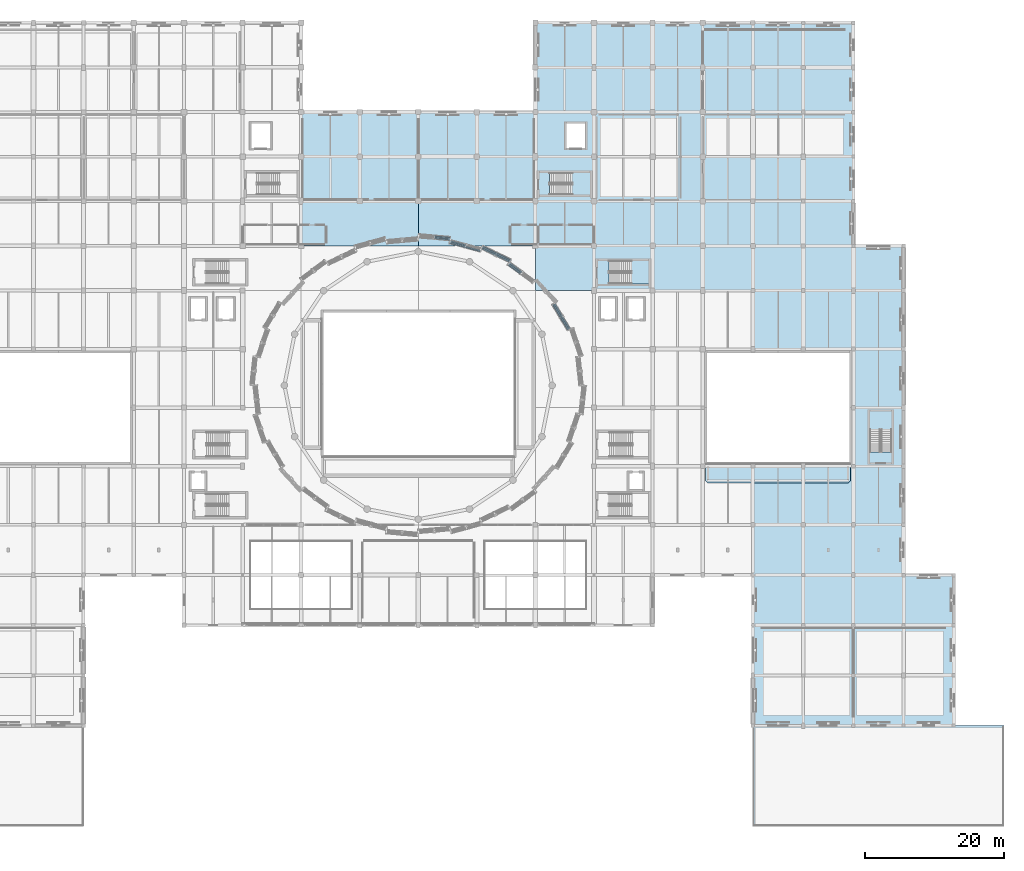
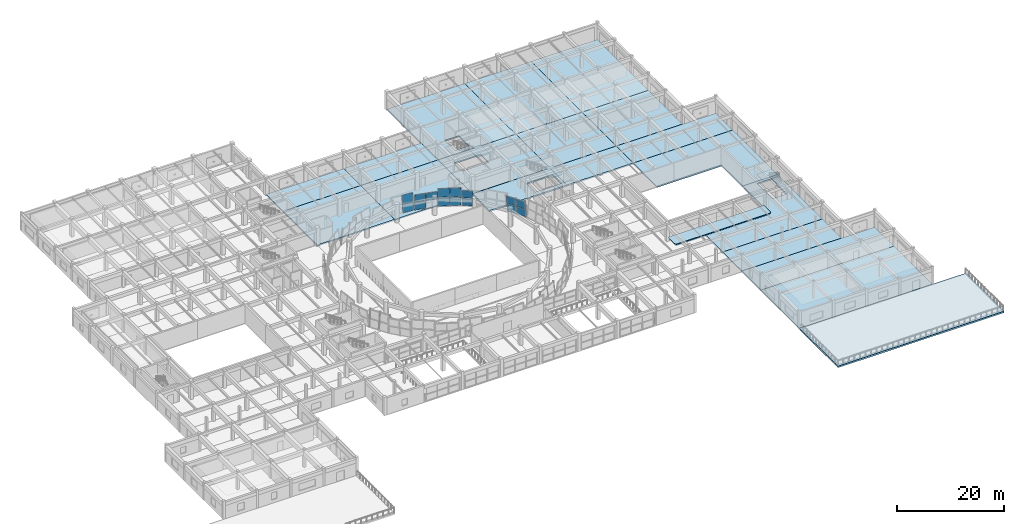
# One storey, part 45 of 71: 23 slabs, 15 plates, 8 elements without a shape of their own.
"""IFC4 building model written with IfcOpenShell, lengths in metres."""

import ifcopenshell
import ifcopenshell.guid

model = None  # the IFC model being written
_history = None  # IfcOwnerHistory: only IFC2X3 demands one
_inside = {}  # id of a spatial element -> (the spatial element, [elements in it])
_under = {}  # id of a project, library or spatial element -> (it, [spatial elements below it])
_declared = {}  # id of a project -> (the project, [libraries it declares])
_typed = {}  # id of a type object -> (the type object, [elements of that type])
_made_of = {}  # id of a material, layer set ... -> (it, [elements and type objects made of it])


def new_model(schema):
    """Start an empty IFC model of exactly this schema.

    Asked for "IFC4X3", IfcOpenShell would pick the latest addendum, in which some entities
    have other attributes; the version numbers below select the first issue.
    IFC2X3 requires an IfcOwnerHistory on every rooted entity: one is made here for all.
    """
    global model, _history
    if schema == "IFC4X3":
        model = ifcopenshell.file(schema_version=(4, 3, 0, 0))
    else:
        model = ifcopenshell.file(schema=schema)
    _inside.clear()
    _under.clear()
    _declared.clear()
    _typed.clear()
    _made_of.clear()
    _history = None
    if model.schema == "IFC2X3":
        org = make("IfcOrganization", Name="unknown")
        user = make(
            "IfcPersonAndOrganization",
            ThePerson=make("IfcPerson", FamilyName="unknown"),
            TheOrganization=org,
        )
        app = make(
            "IfcApplication",
            ApplicationDeveloper=org,
            Version="unknown",
            ApplicationFullName="unknown",
            ApplicationIdentifier="unknown",
        )
        _history = make(
            "IfcOwnerHistory",
            OwningUser=user,
            OwningApplication=app,
            ChangeAction="ADDED",
            CreationDate=0,
        )
    return model


def make(cls, **values):
    """One entity of the class cls with the attributes given. An attribute that is None is left unset."""
    return model.create_entity(
        cls, **{name: value for name, value in values.items() if value is not None}
    )


def rooted(cls, **values):
    """An entity with a GlobalId (a new one), such as an element, a storey or a relation."""
    return make(cls, GlobalId=ifcopenshell.guid.new(), OwnerHistory=_history, **values)


def si_unit(unit_type, name, prefix=None):
    """IfcSIUnit, for example si_unit("LENGTHUNIT", "METRE", prefix="MILLI")."""
    return make("IfcSIUnit", UnitType=unit_type, Prefix=prefix, Name=name)


def assignment(units):
    """IfcUnitAssignment: the units of a project."""
    return None if units is None else make("IfcUnitAssignment", Units=units)


def point(xyz):
    """IfcCartesianPoint."""
    return None if xyz is None else make("IfcCartesianPoint", Coordinates=xyz)


def direction(xyz):
    """IfcDirection."""
    return None if xyz is None else make("IfcDirection", DirectionRatios=xyz)


def frame(location, z_axis=None, x_axis=None):
    """IfcAxis2Placement3D, a coordinate frame: its origin and axes. An axis left out is left unset."""
    return make(
        "IfcAxis2Placement3D",
        Location=point(location),
        Axis=direction(z_axis),
        RefDirection=direction(x_axis),
    )


def origin():
    """The frame at (0, 0, 0) with its axes left unset."""
    return frame((0.0, 0.0, 0.0))


def place(relative_to, where):
    """IfcLocalPlacement: puts the frame where relative to a parent placement (None: the world)."""
    return make(
        "IfcLocalPlacement", PlacementRelTo=relative_to, RelativePlacement=where
    )


def context(
    kind, dimensions, precision=None, world=None, true_north=None, identifier=None
):
    """IfcGeometricRepresentationContext, for example the 3D "Model" context."""
    return make(
        "IfcGeometricRepresentationContext",
        ContextIdentifier=identifier,
        ContextType=kind,
        CoordinateSpaceDimension=dimensions,
        Precision=precision,
        WorldCoordinateSystem=world,
        TrueNorth=true_north,
    )


def subcontext(parent, identifier, kind, view, scale=None):
    """IfcGeometricRepresentationSubContext, for example "Body" below "Model"."""
    return make(
        "IfcGeometricRepresentationSubContext",
        ContextIdentifier=identifier,
        ContextType=kind,
        ParentContext=parent,
        TargetScale=scale,
        TargetView=view,
    )


def project(units=None, contexts=None):
    """IfcProject with its units and contexts."""
    return rooted(
        "IfcProject",
        Name="project",
        RepresentationContexts=contexts,
        UnitsInContext=assignment(units),
    )


def spatial(cls, under=None, at=None, **own):
    """A site, building, storey or space (cls), placed at a placement, below another one or the project."""
    s = rooted(cls, ObjectPlacement=at, **own)
    if under is not None:
        _under.setdefault(under.id(), (under, []))[1].append(s)
    return s


def polyline(points):
    """IfcPolyline through the points."""
    return make("IfcPolyline", Points=[point(p) for p in points])


def outline(outer, holes=None, kind="AREA"):
    """IfcArbitraryClosedProfileDef: a profile drawn as a closed curve; with holes, ...WithVoids."""
    if holes is None:
        return make("IfcArbitraryClosedProfileDef", ProfileType=kind, OuterCurve=outer)
    return make(
        "IfcArbitraryProfileDefWithVoids",
        ProfileType=kind,
        OuterCurve=outer,
        InnerCurves=holes,
    )


def extrude(swept, where, along, depth):
    """IfcExtrudedAreaSolid: the profile swept, set in the frame where, extruded along a direction by depth."""
    return make(
        "IfcExtrudedAreaSolid",
        SweptArea=swept,
        Position=where,
        ExtrudedDirection=direction(along),
        Depth=depth,
    )


def shape(context_of_items, identifier, shape_type, items):
    """IfcShapeRepresentation: the items that make up one representation, for example the "Body"."""
    return make(
        "IfcShapeRepresentation",
        ContextOfItems=context_of_items,
        RepresentationIdentifier=identifier,
        RepresentationType=shape_type,
        Items=items,
    )


def material(Name=None, Category=None):
    """IfcMaterial."""
    return make("IfcMaterial", Name=Name, Category=Category)


def layer(
    of_material, thickness, ventilated=None, Name=None, Category=None, Priority=None
):
    """IfcMaterialLayer: one layer of a wall or slab, of a material (None: an air gap)."""
    return make(
        "IfcMaterialLayer",
        Material=of_material,
        LayerThickness=thickness,
        IsVentilated=ventilated,
        Name=Name,
        Category=Category,
        Priority=Priority,
    )


def layer_set(layers, Name=None):
    """IfcMaterialLayerSet."""
    return make("IfcMaterialLayerSet", MaterialLayers=layers, LayerSetName=Name)


def made_of(thing, what):
    """Note that an element or type object is made of a material, layer set ...; save() writes the relation."""
    if what is not None:
        _made_of.setdefault(what.id(), (what, []))[1].append(thing)
    return thing


def type_object(cls, material=None, **own):
    """A type object (cls), such as IfcWallType, which elements share."""
    return made_of(rooted(cls, **own), material)


def element(
    cls,
    number,
    at=None,
    inside=None,
    cuts=None,
    type_object=None,
    material=None,
    context=None,
    identifier="Body",
    shape_type=None,
    held_by="IfcProductDefinitionShape",
    body=None,
    shapes=None,
    **own,
):
    """One element of the class cls, such as IfcWall. Its Tag is "e" and its number.

    at: its placement. inside: the storey or other place that contains it. cuts: it is an
    opening in that element (IfcRelVoidsElement). A single representation is given by context,
    identifier, shape_type and body (its items); several are given by shapes. held_by: the class
    of the entity that holds the representations. save() writes the other relations.
    """
    e = rooted(cls, Tag="e%d" % number, ObjectPlacement=at, **own)
    if body is not None:
        shapes = [shape(context, identifier, shape_type, body)]
    if shapes is not None:
        e.Representation = make(held_by, Representations=shapes)
    if inside is not None:
        _inside.setdefault(inside.id(), (inside, []))[1].append(e)
    if cuts is not None:
        rooted(
            "IfcRelVoidsElement", RelatingBuildingElement=cuts, RelatedOpeningElement=e
        )
    if type_object is not None:
        _typed.setdefault(type_object.id(), (type_object, []))[1].append(e)
    return made_of(e, material)


def aggregate(whole, parts):
    """IfcRelAggregates: a whole, such as a stair, and the parts it consists of."""
    return rooted("IfcRelAggregates", RelatingObject=whole, RelatedObjects=parts)


def save(model, path):
    """Write the relations noted so far, then the file.

    IfcRelAggregates (storeys below a building ...), IfcRelContainedInSpatialStructure (elements
    in a storey), IfcRelDefinesByType, IfcRelAssociatesMaterial and IfcRelDeclares: one each for
    every whole, place, type object, material and project.
    """
    for whole, parts in _under.values():
        aggregate(whole, parts)
    for where, things in _inside.values():
        rooted(
            "IfcRelContainedInSpatialStructure",
            RelatedElements=things,
            RelatingStructure=where,
        )
    for kind, things in _typed.values():
        rooted("IfcRelDefinesByType", RelatedObjects=things, RelatingType=kind)
    for what, things in _made_of.values():
        rooted("IfcRelAssociatesMaterial", RelatedObjects=things, RelatingMaterial=what)
    for by, libraries in _declared.values():
        rooted("IfcRelDeclares", RelatingContext=by, RelatedDefinitions=libraries)
    model.write(path)


model = new_model("IFC4")

# Units and contexts
model_context = context("Model", 3, precision=1e-05, world=origin(), true_north=direction((0.0, 1.0)))
body_context = subcontext(model_context, "Body", "Model", "MODEL_VIEW")
ifc_project = project(units=[si_unit("LENGTHUNIT", "METRE"), si_unit("AREAUNIT", "SQUARE_METRE"), si_unit("VOLUMEUNIT", "CUBIC_METRE"), si_unit("PLANEANGLEUNIT", "RADIAN"), si_unit("MASSUNIT", "GRAM", prefix="KILO")], contexts=[model_context])

# Site, building, storey
site_placement = place(None, origin())
site = spatial("IfcSite", under=ifc_project, at=site_placement, CompositionType="ELEMENT")
building_placement = place(site_placement, origin())
building = spatial("IfcBuilding", under=site, at=building_placement, Name="Korsvaeld Concert Hall", CompositionType="ELEMENT")
storey_placement = place(building_placement, frame((0.0, 0.0, 4.800048828125)))
storey = spatial("IfcBuildingStorey", under=building, at=storey_placement, Name="L01", CompositionType="ELEMENT", Elevation=4.800048828125)

# Curtain wall, plates
ifc_material_1 = material(Name="Anodised bronze and ceramic-fritted safety glass", Category="glass")
curtain_wall_type_1 = type_object("IfcCurtainWallType", Name="CW-TYPE-03", PredefinedType="USERDEFINED", material=ifc_material_1)
curtain_wall_1_placement = place(storey_placement, origin())
curtain_wall_1 = element("IfcCurtainWall", 1, at=curtain_wall_1_placement, inside=storey, type_object=curtain_wall_type_1, Name="Crystal curtain-wall facet L01 F03", ObjectType="CURTAIN WALL", PredefinedType="USERDEFINED")
ifc_material_2 = material(Name="Translucent ceramic-fritted crystal safety glass", Category="glass")
ifc_layer_1 = layer(ifc_material_2, 0.035888671875)
ifc_layer_set_1 = layer_set([ifc_layer_1], Name="Translucent ceramic-fritted crystal safety glass")
plate_type = type_object("IfcPlateType", Name="CWP-CRYSTAL-36", PredefinedType="CURTAIN_PANEL", material=ifc_layer_set_1)
plate_1_placement = place(storey_placement, frame((105.759033203125, 71.37451171875, 0.06005859375), z_axis=(0.853873261787, 0.508120642844, 0.112755776441), x_axis=(-0.511381861684, 0.859353589357, 0.0)))
plate_1 = element("IfcPlate", 2, at=plate_1_placement, type_object=plate_type, Name="CW-CRYS-L01-F03 ceramic-fritted crystal panel 1.1", PredefinedType="CURTAIN_PANEL", context=body_context, shape_type="SweptSolid", body=[
    extrude(outline(polyline([(0.0, 0.0), (2.0199366887482033, 1.3877787807814457e-17), (2.0386029109089057, 1.8617262415621827), (0.018666222160702132, 1.8617262415621827), (0.0, 0.0)])), frame((0.0, 0.0, 0.01806640625)), (0.0, 0.0, -1.0), 0.035888671875),
])
plate_2_placement = place(storey_placement, frame((105.56298828125, 71.2802734375, 1.969970703125), z_axis=(0.853895606904, 0.508073891, 0.112797224229), x_axis=(-0.511337798574, 0.859379808767, 5.820704e-06)))
plate_2 = element("IfcPlate", 3, at=plate_2_placement, type_object=plate_type, Name="CW-CRYS-L01-F03 ceramic-fritted crystal panel 1.2", PredefinedType="CURTAIN_PANEL", context=body_context, shape_type="SweptSolid", body=[
    extrude(outline(polyline([(0.0, 0.0), (2.019936686058763, 0.0), (2.038602913623199, 1.8619688224688642), (0.018791065894165827, 1.8619924876787373), (0.0, 0.0)])), frame((0.0, 0.0, 0.01806640625)), (0.0, 0.0, -1.0), 0.035888671875),
])
plate_3_placement = place(storey_placement, frame((104.687744140625, 73.1748046875, 0.06005859375), z_axis=(0.853873261787, 0.508120642844, 0.112755776441), x_axis=(-0.511381861684, 0.859353589357, 0.0)))
plate_3 = element("IfcPlate", 4, at=plate_3_placement, type_object=plate_type, Name="CW-CRYS-L01-F03 ceramic-fritted crystal panel 2.1", PredefinedType="CURTAIN_PANEL", context=body_context, shape_type="SweptSolid", body=[
    extrude(outline(polyline([(0.0, 0.0), (2.0199366887482033, 1.3877787807814457e-17), (2.0386029109089057, 1.8617262415621827), (0.018666222160702132, 1.8617262415621827), (0.0, 0.0)])), frame((0.0, 0.0, 0.01806640625)), (0.0, 0.0, -1.0), 0.035888671875),
])
plate_4_placement = place(storey_placement, frame((104.49169921875, 73.08056640625, 1.969970703125), z_axis=(0.853914504774, 0.508049407558, 0.112764435958), x_axis=(-0.511311580092, 0.859395408399, 9.281327e-06)))
plate_4 = element("IfcPlate", 5, at=plate_4_placement, type_object=plate_type, Name="CW-CRYS-L01-F03 ceramic-fritted crystal panel 2.2", PredefinedType="CURTAIN_PANEL", context=body_context, shape_type="SweptSolid", body=[
    extrude(outline(polyline([(0.0, 0.0), (2.019936681906196, -1.3877787807814457e-17), (2.0388127209372526, 1.8619547463895518), (0.018791057627661603, 1.8619924832573516), (0.0, 0.0)])), frame((0.0, 0.0, 0.01806640625)), (0.0, 0.0, -1.0), 0.035888671875),
])
aggregate(curtain_wall_1, [plate_1, plate_2, plate_3, plate_4])

curtain_wall_type_2 = type_object("IfcCurtainWallType", Name="CW-TYPE-05", PredefinedType="USERDEFINED", material=ifc_material_1)
curtain_wall_2_placement = place(storey_placement, origin())
curtain_wall_2 = element("IfcCurtainWall", 6, at=curtain_wall_2_placement, inside=storey, type_object=curtain_wall_type_2, Name="Crystal curtain-wall facet L01 F05", ObjectType="CURTAIN WALL", PredefinedType="USERDEFINED")
plate_5_placement = place(storey_placement, frame((98.86474609375, 79.526123046875, 0.06005859375), z_axis=(0.589635288968, 0.799792072609, 0.112529403251), x_axis=(-0.804904507896, 0.593404358906, 0.0)))
plate_5 = element("IfcPlate", 7, at=plate_5_placement, type_object=plate_type, Name="CW-CRYS-L01-F05 ceramic-fritted crystal panel 2.1", PredefinedType="CURTAIN_PANEL", context=body_context, shape_type="SweptSolid", body=[
    extrude(outline(polyline([(0.0, 0.0), (2.1089579558479716, 0.0), (2.13104190286267, 1.8616781594457161), (0.022083947014698666, 1.8616781594457161), (0.0, 0.0)])), frame((0.0, 0.0, 0.01806640625)), (0.0, 0.0, -1.0), 0.035888671875),
])
plate_6_placement = place(storey_placement, frame((98.718017578125, 79.365478515625, 1.969970703125), z_axis=(0.589636274188, 0.79979340898, 0.112514741765), x_axis=(-0.804904507896, 0.593404358906, 0.0)))
plate_6 = element("IfcPlate", 8, at=plate_6_placement, type_object=plate_type, Name="CW-CRYS-L01-F05 ceramic-fritted crystal panel 2.2", PredefinedType="CURTAIN_PANEL", context=body_context, shape_type="SweptSolid", body=[
    extrude(outline(polyline([(0.0, 0.0), (2.1089579558479716, 1.3877787807814457e-17), (2.13104190286267, 1.86192074958865), (0.022083947014698666, 1.86192074958865), (0.0, 0.0)])), frame((0.0, 0.0, 0.01806640625)), (0.0, 0.0, -1.0), 0.035888671875),
])
aggregate(curtain_wall_2, [plate_5, plate_6])

curtain_wall_type_3 = type_object("IfcCurtainWallType", Name="CW-TYPE-06", PredefinedType="USERDEFINED", material=ifc_material_1)
curtain_wall_3_placement = place(storey_placement, origin())
curtain_wall_3 = element("IfcCurtainWall", 9, at=curtain_wall_3_placement, inside=storey, type_object=curtain_wall_type_3, Name="Crystal curtain-wall facet L01 F06", ObjectType="CURTAIN WALL", PredefinedType="USERDEFINED")
plate_7_placement = place(storey_placement, frame((97.04736328125, 80.865478515625, 0.06005859375), z_axis=(0.430090054787, 0.895710759262, -0.112804168878), x_axis=(-0.901464591462, 0.432852850679, 0.0)))
plate_7 = element("IfcPlate", 10, at=plate_7_placement, type_object=plate_type, Name="CW-CRYS-L01-F06 ceramic-fritted crystal panel 1.1", PredefinedType="CURTAIN_PANEL", context=body_context, shape_type="SweptSolid", body=[
    extrude(outline(polyline([(0.0, 0.0), (2.150634336043882, 0.0), (2.1317694595248153, 1.8617365332323772), (-0.018864876519067143, 1.8617365332323772), (0.0, 0.0)])), frame((0.0, 0.0, 0.01806640625)), (0.0, 0.0, -1.0), 0.035888671875),
])
plate_8_placement = place(storey_placement, frame((97.15869140625, 81.052490234375, 1.969970703125), z_axis=(0.430114148991, 0.895704537127, -0.112761700096), x_axis=(-0.901454091207, 0.432874717948, -2.75289e-06)))
plate_8 = element("IfcPlate", 11, at=plate_8_placement, type_object=plate_type, Name="CW-CRYS-L01-F06 ceramic-fritted crystal panel 1.2", PredefinedType="CURTAIN_PANEL", context=body_context, shape_type="SweptSolid", body=[
    extrude(outline(polyline([(0.0, 0.0), (2.150634335402981, 1.3877787807814457e-17), (2.1317694601600947, 1.8619791150426859), (-0.018644793677650772, 1.8619671987283917), (0.0, 0.0)])), frame((0.0, 0.0, 0.01806640625)), (0.0, 0.0, -1.0), 0.035888671875),
])
plate_9_placement = place(storey_placement, frame((95.041015625, 81.828857421875, 0.06005859375), z_axis=(0.429998436231, 0.895754874635, -0.112803144489), x_axis=(-0.901508884705, 0.432760592935, 0.0)))
plate_9 = element("IfcPlate", 12, at=plate_9_placement, type_object=plate_type, Name="CW-CRYS-L01-F06 ceramic-fritted crystal panel 2.1", PredefinedType="CURTAIN_PANEL", context=body_context, shape_type="SweptSolid", body=[
    extrude(outline(polyline([(0.0, 0.0), (2.1505286703400395, 0.0), (2.131642301423537, 1.8617363153269957), (-0.01888636891650229, 1.8617363153269957), (0.0, 0.0)])), frame((0.0, 0.0, 0.01806640625)), (0.0, 0.0, -1.0), 0.035888671875),
])
plate_10_placement = place(storey_placement, frame((95.15234375, 82.015869140625, 1.969970703125), z_axis=(0.429999158214, 0.895756378641, -0.112788448256), x_axis=(-0.901508884705, 0.432760592935, 0.0)))
plate_10 = element("IfcPlate", 13, at=plate_10_placement, type_object=plate_type, Name="CW-CRYS-L01-F06 ceramic-fritted crystal panel 2.2", PredefinedType="CURTAIN_PANEL", context=body_context, shape_type="SweptSolid", body=[
    extrude(outline(polyline([(0.0, 0.0), (2.1505286703400395, 0.0), (2.131642301423537, 1.8619788978930212), (-0.018886368916502288, 1.8619788978930212), (0.0, 0.0)])), frame((0.0, 0.0, 0.01806640625)), (0.0, 0.0, -1.0), 0.035888671875),
])
aggregate(curtain_wall_3, [plate_7, plate_8, plate_9, plate_10])

curtain_wall_type_4 = type_object("IfcCurtainWallType", Name="CW-TYPE-07", PredefinedType="USERDEFINED", material=ifc_material_1)
curtain_wall_4_placement = place(storey_placement, origin())
curtain_wall_4 = element("IfcCurtainWall", 14, at=curtain_wall_4_placement, inside=storey, type_object=curtain_wall_type_4, Name="Crystal curtain-wall facet L01 F07", ObjectType="CURTAIN WALL", PredefinedType="USERDEFINED")
plate_11_placement = place(storey_placement, frame((92.88720703125, 82.59326171875, 1.969970703125), z_axis=(0.261267170979, 0.958628162452, 0.113011112386), x_axis=(-0.964809044512, 0.262951530942, 1.651812e-06)))
plate_11 = element("IfcPlate", 15, at=plate_11_placement, type_object=plate_type, Name="CW-CRYS-L01-F07 ceramic-fritted crystal panel 1.2", PredefinedType="CURTAIN_PANEL", context=body_context, shape_type="SweptSolid", body=[
    extrude(outline(polyline([(0.0, 0.0), (2.182003048960531, 1.3877787807814457e-17), (2.1945043823121617, 1.8620226623379514), (0.012736882434763102, 1.86202991694282), (0.0, 0.0)])), frame((0.0, 0.0, 0.01806640625)), (0.0, 0.0, -1.0), 0.035888671875),
])
plate_12_placement = place(storey_placement, frame((90.779296875, 83.392822265625, 0.06005859375), z_axis=(0.261177861988, 0.958652842085, 0.1130081978), x_axis=(-0.964833511963, 0.262861739689, 0.0)))
plate_12 = element("IfcPlate", 16, at=plate_12_placement, type_object=plate_type, Name="CW-CRYS-L01-F07 ceramic-fritted crystal panel 2.1", PredefinedType="CURTAIN_PANEL", context=body_context, shape_type="SweptSolid", body=[
    extrude(outline(polyline([(0.0, 0.0), (2.1817033121772686, 1.3877787807814457e-17), (2.1942211701450334, 1.8617799747159085), (0.012517857967764405, 1.8617799747159085), (0.0, 0.0)])), frame((0.0, 0.0, 0.01806640625)), (0.0, 0.0, -1.0), 0.035888671875),
])
plate_13_placement = place(storey_placement, frame((90.709716796875, 83.1865234375, 1.969970703125), z_axis=(0.261267170979, 0.958628162452, 0.113011112386), x_axis=(-0.964808945702, 0.262951893492, -1.651991e-06)))
plate_13 = element("IfcPlate", 17, at=plate_13_placement, type_object=plate_type, Name="CW-CRYS-L01-F07 ceramic-fritted crystal panel 2.2", PredefinedType="CURTAIN_PANEL", context=body_context, shape_type="SweptSolid", body=[
    extrude(outline(polyline([(0.0, 0.0), (2.18176749988946, 1.3877787807814457e-17), (2.1944981908801506, 1.8620299592839915), (0.012495141931681508, 1.8620227038958976), (0.0, 0.0)])), frame((0.0, 0.0, 0.01806640625)), (0.0, 0.0, -1.0), 0.035888671875),
])
aggregate(curtain_wall_4, [plate_11, plate_12, plate_13])

curtain_wall_type_5 = type_object("IfcCurtainWallType", Name="CW-TYPE-08", PredefinedType="USERDEFINED", material=ifc_material_1)
curtain_wall_5_placement = place(storey_placement, origin())
curtain_wall_5 = element("IfcCurtainWall", 18, at=curtain_wall_5_placement, inside=storey, type_object=curtain_wall_type_5, Name="Crystal curtain-wall facet L01 F08", ObjectType="CURTAIN WALL", PredefinedType="USERDEFINED")
plate_14_placement = place(storey_placement, frame((88.530029296875, 84.006103515625, 0.06005859375), z_axis=(0.087545901141, 0.989704481647, -0.113228769322), x_axis=(-0.996110581492, 0.088111914102, -5.671876e-06)))
plate_14 = element("IfcPlate", 19, at=plate_14_placement, type_object=plate_type, Name="CW-CRYS-L01-F08 ceramic-fritted crystal panel 1.1", PredefinedType="CURTAIN_PANEL", context=body_context, shape_type="SweptSolid", body=[
    extrude(outline(polyline([(0.0, 0.0), (2.1984825839525497, 0.0), (2.194090680571704, 1.86183955534834), (-0.004656606138559513, 1.8618144533752725), (0.0, 0.0)])), frame((0.0, 0.0, 0.01806640625)), (0.0, 0.0, -1.0), 0.035888671875),
])
plate_15_placement = place(storey_placement, frame((88.553955078125, 84.222412109375, 1.969970703125), z_axis=(0.087541265095, 0.98970723272, -0.113208305385), x_axis=(-0.996111018006, 0.088106979112, -6.220482e-06)))
plate_15 = element("IfcPlate", 20, at=plate_15_placement, type_object=plate_type, Name="CW-CRYS-L01-F08 ceramic-fritted crystal panel 1.2", PredefinedType="CURTAIN_PANEL", context=body_context, shape_type="SweptSolid", body=[
    extrude(outline(polyline([(0.0, 0.0), (2.1987257756269907, 3.469446951953614e-18), (2.194331810918517, 1.8620821189390757), (-0.00441547520142144, 1.8620545875462846), (0.0, 0.0)])), frame((0.0, 0.0, 0.01806640625)), (0.0, 0.0, -1.0), 0.035888671875),
])
aggregate(curtain_wall_5, [plate_14, plate_15])

# Slabs
ifc_material_3 = material(Name="Concrete C35/45", Category="concrete")
ifc_layer_2 = layer(ifc_material_3, 0.280029296875)
ifc_layer_set_2 = layer_set([ifc_layer_2], Name="Concrete C35/45")
slab_type_1 = type_object("IfcSlabType", Name="SLB-FOY-280", PredefinedType="FLOOR", material=ifc_layer_set_2)
slab_1_placement = place(storey_placement, frame((0.0, 0.0, -0.280029296875)))
element("IfcSlab", 21, at=slab_1_placement, inside=storey, type_object=slab_type_1, Name="Structural slab L01 V4_SE_L01 1.1", PredefinedType="FLOOR", context=body_context, shape_type="SweptSolid", body=[
    extrude(outline(polyline([(132.0, 14.39990234375), (132.0, 28.800048828125), (160.800048828125, 28.800048828125), (160.800048828125, 14.39990234375), (132.0, 14.39990234375)])), origin(), (0.0, 0.0, 1.0), 0.280029296875),
])
slab_2_placement = place(storey_placement, frame((0.0, 0.0, -0.280029296875)))
element("IfcSlab", 22, at=slab_2_placement, inside=storey, type_object=slab_type_1, Name="Structural slab L01 V4_SE_L01 1.2", PredefinedType="FLOOR", context=body_context, shape_type="SweptSolid", body=[
    extrude(outline(polyline([(132.0, 28.800048828125), (132.0, 36.0), (160.800048828125, 36.0), (160.800048828125, 28.800048828125), (132.0, 28.800048828125)])), origin(), (0.0, 0.0, 1.0), 0.280029296875),
])
slab_3_placement = place(storey_placement, frame((0.0, 0.0, -0.280029296875)))
element("IfcSlab", 23, at=slab_3_placement, inside=storey, type_object=slab_type_1, Name="Structural slab L01 V4_PASS_E1 2.1", PredefinedType="FLOOR", context=body_context, shape_type="SweptSolid", body=[
    extrude(outline(polyline([(132.0, 36.0), (132.0, 43.199951171875), (153.60009765625, 43.199951171875), (153.60009765625, 36.0), (132.0, 36.0)])), origin(), (0.0, 0.0, 1.0), 0.280029296875),
])
slab_4_placement = place(storey_placement, frame((0.0, 0.0, -0.280029296875)))
element("IfcSlab", 24, at=slab_4_placement, inside=storey, type_object=slab_type_1, Name="Structural slab L01 V5_L01_C 1.1", PredefinedType="FLOOR", context=body_context, shape_type="SweptSolid", body=[
    extrude(outline(polyline([(67.199951171875, 83.199951171875), (67.199951171875, 96.0), (84.0, 96.0), (84.0, 83.199951171875), (67.199951171875, 83.199951171875)])), origin(), (0.0, 0.0, 1.0), 0.280029296875),
])
slab_5_placement = place(storey_placement, frame((0.0, 0.0, -0.280029296875)))
element("IfcSlab", 25, at=slab_5_placement, inside=storey, type_object=slab_type_1, Name="Structural slab L01 V5_L01_C 1.2", PredefinedType="FLOOR", context=body_context, shape_type="SweptSolid", body=[
    extrude(outline(polyline([(67.199951171875, 96.0), (67.199951171875, 102.39990234375), (84.0, 102.39990234375), (84.0, 96.0), (67.199951171875, 96.0)])), origin(), (0.0, 0.0, 1.0), 0.280029296875),
])
slab_6_placement = place(storey_placement, frame((0.0, 0.0, -0.280029296875)))
element("IfcSlab", 26, at=slab_6_placement, inside=storey, type_object=slab_type_1, Name="Structural slab L01 V5_L01_C 2.1", PredefinedType="FLOOR", context=body_context, shape_type="SweptSolid", body=[
    extrude(outline(polyline([(84.0, 83.199951171875), (84.0, 96.0), (100.800048828125, 96.0), (100.800048828125, 83.199951171875), (84.0, 83.199951171875)])), origin(), (0.0, 0.0, 1.0), 0.280029296875),
])
slab_7_placement = place(storey_placement, frame((0.0, 0.0, -0.280029296875)))
element("IfcSlab", 27, at=slab_7_placement, inside=storey, type_object=slab_type_1, Name="Structural slab L01 V5_L01_C 2.2", PredefinedType="FLOOR", context=body_context, shape_type="SweptSolid", body=[
    extrude(outline(polyline([(84.0, 96.0), (84.0, 102.39990234375), (100.800048828125, 102.39990234375), (100.800048828125, 96.0), (84.0, 96.0)])), origin(), (0.0, 0.0, 1.0), 0.280029296875),
])
slab_8_placement = place(storey_placement, frame((0.0, 0.0, -0.280029296875)))
element("IfcSlab", 28, at=slab_8_placement, inside=storey, type_object=slab_type_1, Name="Structural slab L01 V5_L01_E 1.1", PredefinedType="FLOOR", context=body_context, shape_type="SweptSolid", body=[
    extrude(outline(polyline([(100.800048828125, 83.199951171875), (100.800048828125, 96.0), (117.60009765625, 96.0), (117.60009765625, 83.199951171875), (100.800048828125, 83.199951171875)]), holes=[polyline([(102.844970703125, 90.594970703125), (108.60498046875, 90.594970703125), (108.60498046875, 93.64501953125), (102.844970703125, 93.64501953125), (102.844970703125, 90.594970703125)])]), origin(), (0.0, 0.0, 1.0), 0.280029296875),
])
slab_9_placement = place(storey_placement, frame((0.0, 0.0, -0.280029296875)))
element("IfcSlab", 29, at=slab_9_placement, inside=storey, type_object=slab_type_1, Name="Structural slab L01 V5_L01_E 1.2", PredefinedType="FLOOR", context=body_context, shape_type="SweptSolid", body=[
    extrude(outline(polyline([(100.800048828125, 96.0), (100.800048828125, 115.199951171875), (117.60009765625, 115.199951171875), (117.60009765625, 96.0), (100.800048828125, 96.0)]), holes=[polyline([(108.10009765625, 97.10009765625), (108.10009765625, 100.89990234375), (105.10009765625, 100.89990234375), (105.10009765625, 97.10009765625), (108.10009765625, 97.10009765625)])]), origin(), (0.0, 0.0, 1.0), 0.280029296875),
])
slab_10_placement = place(storey_placement, frame((0.0, 0.0, -0.280029296875)))
element("IfcSlab", 30, at=slab_10_placement, inside=storey, type_object=slab_type_1, Name="Structural slab L01 V5_L01_E 2.1", PredefinedType="FLOOR", context=body_context, shape_type="SweptSolid", body=[
    extrude(outline(polyline([(117.60009765625, 83.199951171875), (117.60009765625, 96.0), (132.0, 96.0), (132.0, 83.199951171875), (117.60009765625, 83.199951171875)])), origin(), (0.0, 0.0, 1.0), 0.280029296875),
])
slab_11_placement = place(storey_placement, frame((0.0, 0.0, -0.280029296875)))
element("IfcSlab", 31, at=slab_11_placement, inside=storey, type_object=slab_type_1, Name="Structural slab L01 V5_L01_E 2.2", PredefinedType="FLOOR", context=body_context, shape_type="SweptSolid", body=[
    extrude(outline(polyline([(117.60009765625, 96.0), (117.60009765625, 115.199951171875), (132.0, 115.199951171875), (132.0, 96.0), (117.60009765625, 96.0)])), origin(), (0.0, 0.0, 1.0), 0.280029296875),
])
slab_12_placement = place(storey_placement, frame((0.0, 0.0, -0.280029296875)))
element("IfcSlab", 32, at=slab_12_placement, inside=storey, type_object=slab_type_1, Name="Structural slab L01 V5_L01_E 3.1", PredefinedType="FLOOR", context=body_context, shape_type="SweptSolid", body=[
    extrude(outline(polyline([(132.0, 83.199951171875), (132.0, 96.0), (146.39990234375, 96.0), (146.39990234375, 83.199951171875), (132.0, 83.199951171875)])), origin(), (0.0, 0.0, 1.0), 0.280029296875),
])
slab_13_placement = place(storey_placement, frame((0.0, 0.0, -0.280029296875)))
element("IfcSlab", 33, at=slab_13_placement, inside=storey, type_object=slab_type_1, Name="Structural slab L01 V5_L01_E 3.2", PredefinedType="FLOOR", context=body_context, shape_type="SweptSolid", body=[
    extrude(outline(polyline([(132.0, 96.0), (132.0, 115.199951171875), (146.39990234375, 115.199951171875), (146.39990234375, 96.0), (132.0, 96.0)])), origin(), (0.0, 0.0, 1.0), 0.280029296875),
])
ifc_layer_3 = layer(ifc_material_3, 0.320068359375)
ifc_layer_set_3 = layer_set([ifc_layer_3], Name="Concrete C35/45")
slab_type_2 = type_object("IfcSlabType", Name="SLB-HALL-320", PredefinedType="FLOOR", material=ifc_layer_set_3)
slab_14_placement = place(storey_placement, frame((0.0, 0.0, -0.320068359375)))
element("IfcSlab", 34, at=slab_14_placement, inside=storey, type_object=slab_type_2, Name="Structural slab L01 V1_L01 4.3", PredefinedType="FLOOR", context=body_context, shape_type="SweptSolid", body=[
    extrude(outline(polyline([(100.800048828125, 76.800048828125), (100.800048828125, 83.199951171875), (117.60009765625, 83.199951171875), (117.60009765625, 76.800048828125), (100.800048828125, 76.800048828125)]), holes=[polyline([(117.0048828125, 77.794921875), (117.0048828125, 81.044921875), (111.344970703125, 81.044921875), (111.344970703125, 77.794921875), (117.0048828125, 77.794921875)])]), origin(), (0.0, 0.0, 1.0), 0.320068359375),
])
slab_15_placement = place(storey_placement, frame((0.0, 0.0, -0.320068359375)))
element("IfcSlab", 35, at=slab_15_placement, inside=storey, type_object=slab_type_2, Name="Structural slab L01 V2_L01 1.3", PredefinedType="FLOOR", context=body_context, shape_type="SweptSolid", body=[
    extrude(outline(polyline([(117.60009765625, 76.800048828125), (117.60009765625, 83.199951171875), (132.0, 83.199951171875), (132.0, 76.800048828125), (117.60009765625, 76.800048828125)])), origin(), (0.0, 0.0, 1.0), 0.320068359375),
])
slab_16_placement = place(storey_placement, frame((0.0, 0.0, -0.320068359375)))
element("IfcSlab", 36, at=slab_16_placement, inside=storey, type_object=slab_type_2, Name="Structural slab L01 V2_L01 2.1", PredefinedType="FLOOR", context=body_context, shape_type="SweptSolid", body=[
    extrude(outline(polyline([(153.60009765625, 60.0), (153.60009765625, 43.199951171875), (132.0, 43.199951171875), (132.0, 52.0), (146.0, 52.0), (146.0, 60.0), (153.60009765625, 60.0)]), holes=[polyline([(151.844970703125, 53.64501953125), (151.844970703125, 59.405029296875), (148.794921875, 59.405029296875), (148.794921875, 53.64501953125), (151.844970703125, 53.64501953125)])]), origin(), (0.0, 0.0, 1.0), 0.320068359375),
])
slab_17_placement = place(storey_placement, frame((0.0, 0.0, -0.320068359375)))
element("IfcSlab", 37, at=slab_17_placement, inside=storey, type_object=slab_type_2, Name="Structural slab L01 V2_L01 2.2", PredefinedType="FLOOR", context=body_context, shape_type="SweptSolid", body=[
    extrude(outline(polyline([(132.0, 76.800048828125), (153.60009765625, 76.800048828125), (153.60009765625, 60.0), (146.0, 60.0), (146.0, 68.0), (132.0, 68.0), (132.0, 76.800048828125)])), origin(), (0.0, 0.0, 1.0), 0.320068359375),
])
slab_18_placement = place(storey_placement, frame((0.0, 0.0, -0.320068359375)))
element("IfcSlab", 38, at=slab_18_placement, inside=storey, type_object=slab_type_2, Name="Structural slab L01 V2_L01 2.3", PredefinedType="FLOOR", context=body_context, shape_type="SweptSolid", body=[
    extrude(outline(polyline([(132.0, 76.800048828125), (132.0, 83.199951171875), (153.60009765625, 83.199951171875), (153.60009765625, 76.800048828125), (132.0, 76.800048828125)])), origin(), (0.0, 0.0, 1.0), 0.320068359375),
])

# Stair, slab
ifc_material_4 = material(Name="Precast concrete C40/50", Category="concrete")
stair_type_1 = type_object("IfcStairType", Name="STR-HT-155-42", PredefinedType="HALF_TURN_STAIR", material=ifc_material_4)
stair_1_placement = place(storey_placement, origin())
stair_1 = element("IfcStair", 39, at=stair_1_placement, inside=storey, type_object=stair_type_1, Name="L01 ST-K2", PredefinedType="HALF_TURN_STAIR")
ifc_layer_4 = layer(ifc_material_4, 0.179931640625)
ifc_layer_set_4 = layer_set([ifc_layer_4], Name="Precast concrete C40/50")
slab_type_3 = type_object("IfcSlabType", Name="SLB-LANDING-180", PredefinedType="LANDING", material=ifc_layer_set_4)
slab_19_placement = place(storey_placement, frame((0.0, 0.0, 1.919921875)))
slab_19 = element("IfcSlab", 40, at=slab_19_placement, type_object=slab_type_3, Name="ST-K2 landing 1", PredefinedType="LANDING", context=body_context, shape_type="SweptSolid", body=[
    extrude(outline(polyline([(114.56005859375, 77.7099609375), (114.56005859375, 81.1298828125), (117.090087890625, 81.1298828125), (117.090087890625, 77.7099609375), (114.56005859375, 77.7099609375)])), origin(), (0.0, 0.0, 1.0), 0.179931640625),
])
aggregate(stair_1, [slab_19])

stair_type_2 = type_object("IfcStairType", Name="STR-HT-145-42", PredefinedType="HALF_TURN_STAIR", material=ifc_material_4)
stair_2_placement = place(storey_placement, origin())
stair_2 = element("IfcStair", 41, at=stair_2_placement, inside=storey, type_object=stair_type_2, Name="L01 ST-K6", PredefinedType="HALF_TURN_STAIR")
slab_20_placement = place(storey_placement, frame((0.0, 0.0, 1.919921875)))
slab_20 = element("IfcSlab", 42, at=slab_20_placement, type_object=slab_type_3, Name="ST-K6 landing 1", PredefinedType="LANDING", context=body_context, shape_type="SweptSolid", body=[
    extrude(outline(polyline([(106.06005859375, 90.510009765625), (106.06005859375, 93.72998046875), (108.68994140625, 93.72998046875), (108.68994140625, 90.510009765625), (106.06005859375, 90.510009765625)])), origin(), (0.0, 0.0, 1.0), 0.179931640625),
])
aggregate(stair_2, [slab_20])

stair_3_placement = place(storey_placement, origin())
stair_3 = element("IfcStair", 43, at=stair_3_placement, inside=storey, type_object=stair_type_2, Name="L01 ST-F4", PredefinedType="HALF_TURN_STAIR")
slab_21_placement = place(storey_placement, frame((0.0, 0.0, 1.919921875)))
slab_21 = element("IfcSlab", 44, at=slab_21_placement, type_object=slab_type_3, Name="ST-F4 landing 1", PredefinedType="LANDING", context=body_context, shape_type="SweptSolid", body=[
    extrude(outline(polyline([(151.929931640625, 56.860107421875), (148.7099609375, 56.860107421875), (148.7099609375, 59.489990234375), (151.929931640625, 59.489990234375), (151.929931640625, 56.860107421875)])), origin(), (0.0, 0.0, 1.0), 0.179931640625),
])
aggregate(stair_3, [slab_21])

# Slabs
ifc_layer_5 = layer(ifc_material_3, 0.360107421875)
ifc_layer_set_5 = layer_set([ifc_layer_5], Name="Concrete C35/45")
slab_type_4 = type_object("IfcSlabType", Name="SLB-TERR-360", PredefinedType="ROOF", material=ifc_layer_set_5)
slab_22_placement = place(storey_placement, frame((0.0, 0.0, -0.360107421875)))
element("IfcSlab", 45, at=slab_22_placement, inside=storey, type_object=slab_type_4, Name="South-East Mughal Roof Garden", PredefinedType="ROOF", context=body_context, shape_type="SweptSolid", body=[
    extrude(outline(polyline([(168.0, 0.0), (168.0, 14.39990234375), (132.0, 14.39990234375), (132.0, 0.0), (168.0, 0.0)])), origin(), (0.0, 0.0, 1.0), 0.360107421875),
])
ifc_layer_6 = layer(ifc_material_4, 0.199951171875)
ifc_layer_set_6 = layer_set([ifc_layer_6], Name="Precast concrete C40/50")
slab_type_5 = type_object("IfcSlabType", Name="SLB-TIER-200", PredefinedType="USERDEFINED", material=ifc_layer_set_6)
slab_23_placement = place(storey_placement, frame((0.0, 0.0, 0.25)))
element("IfcSlab", 46, at=slab_23_placement, inside=storey, type_object=slab_type_5, Name="Auditorium seating tier V2-BALC-S", ObjectType="SEATING TIER", PredefinedType="USERDEFINED", context=body_context, shape_type="SweptSolid", body=[
    extrude(outline(polyline([(125.199951171875, 49.5), (125.5, 49.199951171875), (145.699951171875, 49.199951171875), (146.0, 49.5), (146.0, 52.0), (125.199951171875, 52.0), (125.199951171875, 49.5)])), origin(), (0.0, 0.0, 1.0), 0.199951171875),
])

save(model, "model.ifc")
